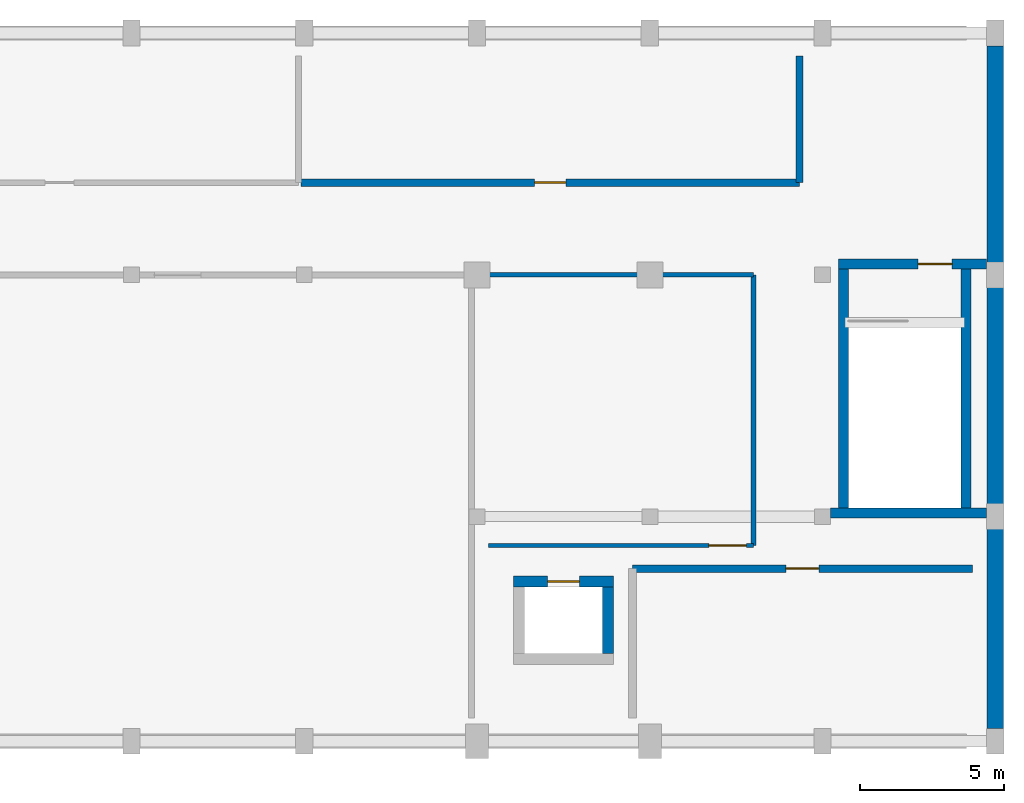
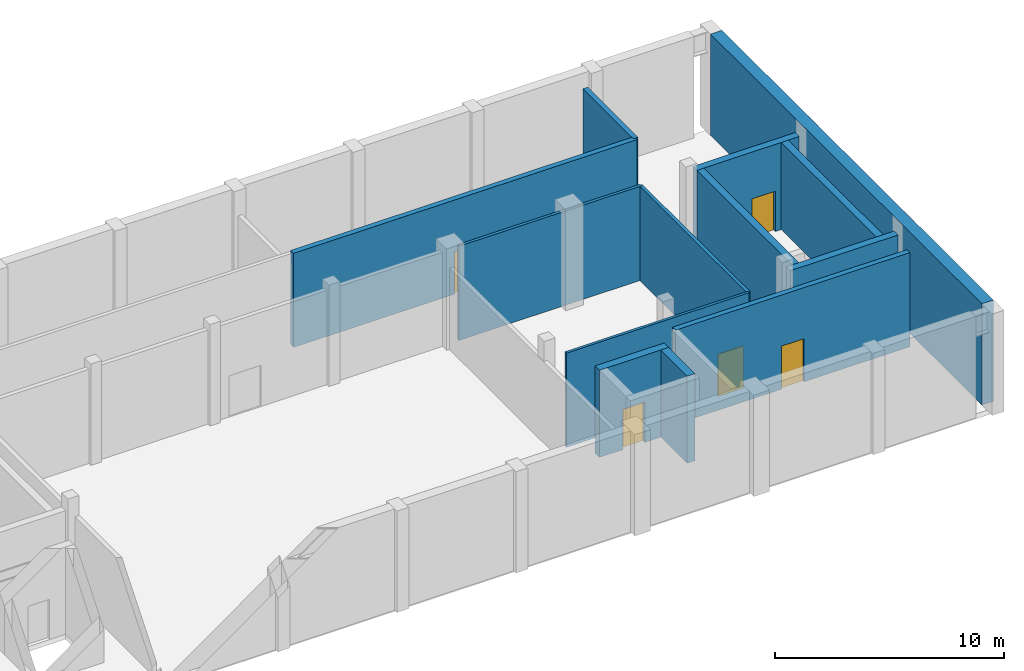
# One storey, part 2 of 3: 13 walls, 5 doors, 5 openings.
"""IFC4 building model written with IfcOpenShell, lengths in metres."""

import ifcopenshell
import ifcopenshell.guid

model = None  # the IFC model being written
_history = None  # IfcOwnerHistory: only IFC2X3 demands one
_inside = {}  # id of a spatial element -> (the spatial element, [elements in it])
_under = {}  # id of a project, library or spatial element -> (it, [spatial elements below it])
_declared = {}  # id of a project -> (the project, [libraries it declares])
_typed = {}  # id of a type object -> (the type object, [elements of that type])
_made_of = {}  # id of a material, layer set ... -> (it, [elements and type objects made of it])


def new_model(schema):
    """Start an empty IFC model of exactly this schema.

    Asked for "IFC4X3", IfcOpenShell would pick the latest addendum, in which some entities
    have other attributes; the version numbers below select the first issue.
    IFC2X3 requires an IfcOwnerHistory on every rooted entity: one is made here for all.
    """
    global model, _history
    if schema == "IFC4X3":
        model = ifcopenshell.file(schema_version=(4, 3, 0, 0))
    else:
        model = ifcopenshell.file(schema=schema)
    _inside.clear()
    _under.clear()
    _declared.clear()
    _typed.clear()
    _made_of.clear()
    _history = None
    if model.schema == "IFC2X3":
        org = make("IfcOrganization", Name="unknown")
        user = make(
            "IfcPersonAndOrganization",
            ThePerson=make("IfcPerson", FamilyName="unknown"),
            TheOrganization=org,
        )
        app = make(
            "IfcApplication",
            ApplicationDeveloper=org,
            Version="unknown",
            ApplicationFullName="unknown",
            ApplicationIdentifier="unknown",
        )
        _history = make(
            "IfcOwnerHistory",
            OwningUser=user,
            OwningApplication=app,
            ChangeAction="ADDED",
            CreationDate=0,
        )
    return model


def make(cls, **values):
    """One entity of the class cls with the attributes given. An attribute that is None is left unset."""
    return model.create_entity(
        cls, **{name: value for name, value in values.items() if value is not None}
    )


def rooted(cls, **values):
    """An entity with a GlobalId (a new one), such as an element, a storey or a relation."""
    return make(cls, GlobalId=ifcopenshell.guid.new(), OwnerHistory=_history, **values)


def si_unit(unit_type, name, prefix=None):
    """IfcSIUnit, for example si_unit("LENGTHUNIT", "METRE", prefix="MILLI")."""
    return make("IfcSIUnit", UnitType=unit_type, Prefix=prefix, Name=name)


def assignment(units):
    """IfcUnitAssignment: the units of a project."""
    return None if units is None else make("IfcUnitAssignment", Units=units)


def point(xyz):
    """IfcCartesianPoint."""
    return None if xyz is None else make("IfcCartesianPoint", Coordinates=xyz)


def direction(xyz):
    """IfcDirection."""
    return None if xyz is None else make("IfcDirection", DirectionRatios=xyz)


def frame(location, z_axis=None, x_axis=None):
    """IfcAxis2Placement3D, a coordinate frame: its origin and axes. An axis left out is left unset."""
    return make(
        "IfcAxis2Placement3D",
        Location=point(location),
        Axis=direction(z_axis),
        RefDirection=direction(x_axis),
    )


def frame_2d(location, x_axis=None):
    """IfcAxis2Placement2D, a coordinate frame in the plane: its origin and x axis."""
    return make(
        "IfcAxis2Placement2D", Location=point(location), RefDirection=direction(x_axis)
    )


def origin():
    """The frame at (0, 0, 0) with its axes left unset."""
    return frame((0.0, 0.0, 0.0))


def place(relative_to, where):
    """IfcLocalPlacement: puts the frame where relative to a parent placement (None: the world)."""
    return make(
        "IfcLocalPlacement", PlacementRelTo=relative_to, RelativePlacement=where
    )


def context(
    kind, dimensions, precision=None, world=None, true_north=None, identifier=None
):
    """IfcGeometricRepresentationContext, for example the 3D "Model" context."""
    return make(
        "IfcGeometricRepresentationContext",
        ContextIdentifier=identifier,
        ContextType=kind,
        CoordinateSpaceDimension=dimensions,
        Precision=precision,
        WorldCoordinateSystem=world,
        TrueNorth=true_north,
    )


def subcontext(parent, identifier, kind, view, scale=None):
    """IfcGeometricRepresentationSubContext, for example "Body" below "Model"."""
    return make(
        "IfcGeometricRepresentationSubContext",
        ContextIdentifier=identifier,
        ContextType=kind,
        ParentContext=parent,
        TargetScale=scale,
        TargetView=view,
    )


def project(units=None, contexts=None):
    """IfcProject with its units and contexts."""
    return rooted(
        "IfcProject",
        Name="project",
        RepresentationContexts=contexts,
        UnitsInContext=assignment(units),
    )


def spatial(cls, under=None, at=None, **own):
    """A site, building, storey or space (cls), placed at a placement, below another one or the project."""
    s = rooted(cls, ObjectPlacement=at, **own)
    if under is not None:
        _under.setdefault(under.id(), (under, []))[1].append(s)
    return s


def profile(cls, at=None, kind="AREA", **sizes):
    """A parametric profile (cls). Its sizes go by their IFC names, for example OverallWidth=200.0."""
    return make(cls, ProfileType=kind, Position=at, **sizes)


def rectangle(**sizes):
    """IfcRectangleProfileDef."""
    return profile("IfcRectangleProfileDef", **sizes)


def extrude(swept, where, along, depth):
    """IfcExtrudedAreaSolid: the profile swept, set in the frame where, extruded along a direction by depth."""
    return make(
        "IfcExtrudedAreaSolid",
        SweptArea=swept,
        Position=where,
        ExtrudedDirection=direction(along),
        Depth=depth,
    )


def shape(context_of_items, identifier, shape_type, items):
    """IfcShapeRepresentation: the items that make up one representation, for example the "Body"."""
    return make(
        "IfcShapeRepresentation",
        ContextOfItems=context_of_items,
        RepresentationIdentifier=identifier,
        RepresentationType=shape_type,
        Items=items,
    )


def material(Name=None, Category=None):
    """IfcMaterial."""
    return make("IfcMaterial", Name=Name, Category=Category)


def layer(
    of_material, thickness, ventilated=None, Name=None, Category=None, Priority=None
):
    """IfcMaterialLayer: one layer of a wall or slab, of a material (None: an air gap)."""
    return make(
        "IfcMaterialLayer",
        Material=of_material,
        LayerThickness=thickness,
        IsVentilated=ventilated,
        Name=Name,
        Category=Category,
        Priority=Priority,
    )


def layer_set(layers, Name=None):
    """IfcMaterialLayerSet."""
    return make("IfcMaterialLayerSet", MaterialLayers=layers, LayerSetName=Name)


def made_of(thing, what):
    """Note that an element or type object is made of a material, layer set ...; save() writes the relation."""
    if what is not None:
        _made_of.setdefault(what.id(), (what, []))[1].append(thing)
    return thing


def type_object(cls, material=None, **own):
    """A type object (cls), such as IfcWallType, which elements share."""
    return made_of(rooted(cls, **own), material)


def element(
    cls,
    number,
    at=None,
    inside=None,
    cuts=None,
    type_object=None,
    material=None,
    context=None,
    identifier="Body",
    shape_type=None,
    held_by="IfcProductDefinitionShape",
    body=None,
    shapes=None,
    **own,
):
    """One element of the class cls, such as IfcWall. Its Tag is "e" and its number.

    at: its placement. inside: the storey or other place that contains it. cuts: it is an
    opening in that element (IfcRelVoidsElement). A single representation is given by context,
    identifier, shape_type and body (its items); several are given by shapes. held_by: the class
    of the entity that holds the representations. save() writes the other relations.
    """
    e = rooted(cls, Tag="e%d" % number, ObjectPlacement=at, **own)
    if body is not None:
        shapes = [shape(context, identifier, shape_type, body)]
    if shapes is not None:
        e.Representation = make(held_by, Representations=shapes)
    if inside is not None:
        _inside.setdefault(inside.id(), (inside, []))[1].append(e)
    if cuts is not None:
        rooted(
            "IfcRelVoidsElement", RelatingBuildingElement=cuts, RelatedOpeningElement=e
        )
    if type_object is not None:
        _typed.setdefault(type_object.id(), (type_object, []))[1].append(e)
    return made_of(e, material)


def fill(opening, filler):
    """IfcRelFillsElement: the door or window that sits in an opening."""
    return rooted(
        "IfcRelFillsElement",
        RelatingOpeningElement=opening,
        RelatedBuildingElement=filler,
    )


def aggregate(whole, parts):
    """IfcRelAggregates: a whole, such as a stair, and the parts it consists of."""
    return rooted("IfcRelAggregates", RelatingObject=whole, RelatedObjects=parts)


def save(model, path):
    """Write the relations noted so far, then the file.

    IfcRelAggregates (storeys below a building ...), IfcRelContainedInSpatialStructure (elements
    in a storey), IfcRelDefinesByType, IfcRelAssociatesMaterial and IfcRelDeclares: one each for
    every whole, place, type object, material and project.
    """
    for whole, parts in _under.values():
        aggregate(whole, parts)
    for where, things in _inside.values():
        rooted(
            "IfcRelContainedInSpatialStructure",
            RelatedElements=things,
            RelatingStructure=where,
        )
    for kind, things in _typed.values():
        rooted("IfcRelDefinesByType", RelatedObjects=things, RelatingType=kind)
    for what, things in _made_of.values():
        rooted("IfcRelAssociatesMaterial", RelatedObjects=things, RelatingMaterial=what)
    for by, libraries in _declared.values():
        rooted("IfcRelDeclares", RelatingContext=by, RelatedDefinitions=libraries)
    model.write(path)


model = new_model("IFC4")

# Units and contexts
model_context = context("Model", 3, precision=1e-05, world=origin(), true_north=direction((0.0, 1.0)))
body_context = subcontext(model_context, "Body", "Model", "MODEL_VIEW")
ifc_project = project(units=[si_unit("LENGTHUNIT", "METRE"), si_unit("AREAUNIT", "SQUARE_METRE"), si_unit("VOLUMEUNIT", "CUBIC_METRE"), si_unit("PLANEANGLEUNIT", "RADIAN"), si_unit("MASSUNIT", "GRAM", prefix="KILO")], contexts=[model_context])

# Site, building, storey
site_placement = place(None, origin())
site = spatial("IfcSite", under=ifc_project, at=site_placement, CompositionType="ELEMENT")
building_placement = place(site_placement, origin())
building = spatial("IfcBuilding", under=site, at=building_placement, Name="Vaelkrest Opera House", CompositionType="ELEMENT")
storey_placement = place(building_placement, frame((0.0, 0.0, 36.0)))
storey = spatial("IfcBuildingStorey", under=building, at=storey_placement, Name="L07", CompositionType="ELEMENT", Elevation=36.0)

# Wall, opening, door
ifc_material_1 = material(Name="Gypsum acoustic board", Category="gypsum")
ifc_layer_1 = layer(ifc_material_1, 0.135009765625)
ifc_layer_set_1 = layer_set([ifc_layer_1], Name="Gypsum acoustic board")
wall_type_1 = type_object("IfcWallType", Name="PT02", PredefinedType="PARTITIONING", material=ifc_layer_set_1)
wall_1_placement = place(storey_placement, frame((12.39990234375, 24.199951171875, 0.0), z_axis=(0.0, 0.0, 1.0), x_axis=(1.0, 0.0, 0.0)))
wall_1 = element("IfcWall", 1, at=wall_1_placement, inside=storey, type_object=wall_type_1, Name="Interior partition PT-V2-L07-0254", PredefinedType="PARTITIONING", context=body_context, shape_type="SweptSolid", body=[
    extrude(rectangle(XDim=9.2001953125, YDim=0.135009765625, at=frame_2d((4.60009765625, 0.0))), origin(), (0.0, 0.0, 1.0), 5.02001953125),
])
opening_1_placement = place(wall_1_placement, frame((7.64990234375, 0.0, 0.0)))
opening_1 = element("IfcOpeningElement", 2, at=opening_1_placement, cuts=wall_1, Name="Opening D098", PredefinedType="OPENING", context=body_context, shape_type="SweptSolid", body=[
    extrude(rectangle(XDim=1.300048828125, YDim=2.25, at=frame_2d((0.64990234375, 1.125))), frame((0.0, 0.077392578125, 0.0), z_axis=(0.0, -1.0, 0.0), x_axis=(1.0, 0.0, 0.0)), (0.0, 0.0, 1.0), 0.155029296875),
])
ifc_material_2 = material(Name="American black walnut acoustic timber", Category="wood")
door_type_1 = type_object("IfcDoorType", Name="DT09", OperationType="NOTDEFINED", PredefinedType="DOOR", material=ifc_material_2)
door_1_placement = place(opening_1_placement, origin())
door_1 = element("IfcDoor", 3, at=door_1_placement, inside=storey, type_object=door_type_1, Name="Interior door D098 (Winch Room)", OperationType="SINGLE_SWING_LEFT", OverallHeight=2.25, OverallWidth=1.300048828125, PredefinedType="DOOR", context=body_context, shape_type="SweptSolid", body=[
    extrude(rectangle(XDim=1.300048828125, YDim=2.25, at=frame_2d((0.64990234375, 1.125))), frame((0.0, 0.02490234375, 0.0), z_axis=(0.0, -1.0, 0.0), x_axis=(1.0, 0.0, 0.0)), (0.0, 0.0, 1.0), 0.050048828125),
])
fill(opening_1, door_1)

# Walls
ifc_layer_2 = layer(ifc_material_1, 0.14990234375)
ifc_layer_set_2 = layer_set([ifc_layer_2], Name="Gypsum acoustic board")
wall_type_2 = type_object("IfcWallType", Name="PT03", PredefinedType="PARTITIONING", material=ifc_layer_set_2)
wall_2_placement = place(storey_placement, frame((12.39990234375, 33.60009765625, 0.0), z_axis=(0.0, 0.0, 1.0), x_axis=(1.0, 0.0, 0.0)))
element("IfcWall", 4, at=wall_2_placement, inside=storey, type_object=wall_type_2, Name="Interior partition PT-V2-L07-0255", PredefinedType="PARTITIONING", context=body_context, shape_type="SweptSolid", body=[
    extrude(rectangle(XDim=9.2001953125, YDim=0.14990234375, at=frame_2d((4.60009765625, 0.0))), origin(), (0.0, 0.0, 1.0), 5.02001953125),
])
ifc_layer_3 = layer(ifc_material_1, 0.1650390625)
ifc_layer_set_3 = layer_set([ifc_layer_3], Name="Gypsum acoustic board")
wall_type_3 = type_object("IfcWallType", Name="PT04", PredefinedType="PARTITIONING", material=ifc_layer_set_3)
wall_3_placement = place(storey_placement, frame((21.60009765625, 24.199951171875, 0.0), z_axis=(0.0, 0.0, 1.0), x_axis=(0.0, 1.0, 0.0)))
element("IfcWall", 5, at=wall_3_placement, inside=storey, type_object=wall_type_3, Name="Interior partition PT-V2-L07-0256", PredefinedType="PARTITIONING", context=body_context, shape_type="SweptSolid", body=[
    extrude(rectangle(XDim=9.400146484375, YDim=0.1650390625, at=frame_2d((4.7001953125, 0.0))), origin(), (0.0, 0.0, 1.0), 5.02001953125),
])
ifc_material_3 = material(Name="Concrete C40/50", Category="concrete")
ifc_layer_4 = layer(ifc_material_3, 0.239990234375)
ifc_layer_set_4 = layer_set([ifc_layer_4], Name="Concrete C40/50")
wall_type_4 = type_object("IfcWallType", Name="PT09", PredefinedType="PARTITIONING", material=ifc_layer_set_4)
wall_4_placement = place(storey_placement, frame((23.199951171875, 36.800048828125, 0.0), z_axis=(0.0, 0.0, 1.0), x_axis=(0.0, 1.0, 0.0)))
element("IfcWall", 6, at=wall_4_placement, inside=storey, type_object=wall_type_4, Name="Interior partition PT-V2-L07-0261", PredefinedType="PARTITIONING", context=body_context, shape_type="SweptSolid", body=[
    extrude(rectangle(XDim=4.39990234375, YDim=0.239990234375, at=frame_2d((2.199951171875, 0.0))), origin(), (0.0, 0.0, 1.0), 5.02001953125),
])

# Wall, opening, door
ifc_layer_5 = layer(ifc_material_3, 0.260009765625)
ifc_layer_set_5 = layer_set([ifc_layer_5], Name="Concrete C40/50")
wall_type_5 = type_object("IfcWallType", Name="PT10", PredefinedType="PARTITIONING", material=ifc_layer_set_5)
wall_5_placement = place(storey_placement, frame((5.8798828125, 36.800048828125, 0.0), z_axis=(0.0, 0.0, 1.0), x_axis=(1.0, 0.0, 0.0)))
wall_5 = element("IfcWall", 7, at=wall_5_placement, inside=storey, type_object=wall_type_5, Name="Interior partition PT-V2-L07-0260", PredefinedType="PARTITIONING", context=body_context, shape_type="SweptSolid", body=[
    extrude(rectangle(XDim=17.320068359375, YDim=0.260009765625, at=frame_2d((8.66015625, 0.0))), origin(), (0.0, 0.0, 1.0), 5.02001953125),
])
opening_2_placement = place(wall_5_placement, frame((8.1201171875, 0.0, 0.0)))
opening_2 = element("IfcOpeningElement", 8, at=opening_2_placement, cuts=wall_5, Name="Opening D100", PredefinedType="OPENING", context=body_context, shape_type="SweptSolid", body=[
    extrude(rectangle(XDim=1.080078125, YDim=2.25, at=frame_2d((0.5400390625, 1.125))), frame((0.0, 0.139892578125, 0.0), z_axis=(0.0, -1.0, 0.0), x_axis=(1.0, 0.0, 0.0)), (0.0, 0.0, 1.0), 0.280029296875),
])
door_type_2 = type_object("IfcDoorType", Name="DT11", OperationType="NOTDEFINED", PredefinedType="DOOR", material=ifc_material_2)
door_2_placement = place(opening_2_placement, origin())
door_2 = element("IfcDoor", 9, at=door_2_placement, inside=storey, type_object=door_type_2, Name="Interior door D100 (Smoke Exhaust Fan Room)", OperationType="SINGLE_SWING_LEFT", OverallHeight=2.25, OverallWidth=1.080078125, PredefinedType="DOOR", context=body_context, shape_type="SweptSolid", body=[
    extrude(rectangle(XDim=1.080078125, YDim=2.25, at=frame_2d((0.5400390625, 1.125))), frame((0.0, 0.02490234375, 0.0), z_axis=(0.0, -1.0, 0.0), x_axis=(1.0, 0.0, 0.0)), (0.0, 0.0, 1.0), 0.050048828125),
])
fill(opening_2, door_2)

wall_6_placement = place(storey_placement, frame((17.39990234375, 23.39990234375, 0.0), z_axis=(0.0, 0.0, 1.0), x_axis=(1.0, 0.0, 0.0)))
wall_6 = element("IfcWall", 10, at=wall_6_placement, inside=storey, type_object=wall_type_5, Name="Interior partition PT-V2-L07-0262", PredefinedType="PARTITIONING", context=body_context, shape_type="SweptSolid", body=[
    extrude(rectangle(XDim=11.800048828125, YDim=0.260009765625, at=frame_2d((5.89990234375, 0.0))), origin(), (0.0, 0.0, 1.0), 5.02001953125),
])
opening_3_placement = place(wall_6_placement, frame((5.324951171875, 0.0, 0.0)))
opening_3 = element("IfcOpeningElement", 11, at=opening_3_placement, cuts=wall_6, Name="Opening D101", PredefinedType="OPENING", context=body_context, shape_type="SweptSolid", body=[
    extrude(rectangle(XDim=1.14990234375, YDim=2.300048828125, at=frame_2d((0.574951171875, 1.14990234375))), frame((0.0, 0.139892578125, 0.0), z_axis=(0.0, -1.0, 0.0), x_axis=(1.0, 0.0, 0.0)), (0.0, 0.0, 1.0), 0.280029296875),
])
door_type_3 = type_object("IfcDoorType", Name="DT12", OperationType="NOTDEFINED", PredefinedType="DOOR", material=ifc_material_2)
door_3_placement = place(opening_3_placement, origin())
door_3 = element("IfcDoor", 12, at=door_3_placement, inside=storey, type_object=door_type_3, Name="Interior door D101 (Rigging Control Room)", OperationType="SINGLE_SWING_RIGHT", OverallHeight=2.300048828125, OverallWidth=1.14990234375, PredefinedType="DOOR", context=body_context, shape_type="SweptSolid", body=[
    extrude(rectangle(XDim=1.14990234375, YDim=2.300048828125, at=frame_2d((0.574951171875, 1.14990234375))), frame((0.0, 0.02490234375, 0.0), z_axis=(0.0, -1.0, 0.0), x_axis=(1.0, 0.0, 0.0)), (0.0, 0.0, 1.0), 0.050048828125),
])
fill(opening_3, door_3)

# Walls
ifc_material_4 = material(Name="Concrete C50/60", Category="concrete")
ifc_layer_6 = layer(ifc_material_4, 0.35009765625)
ifc_layer_set_6 = layer_set([ifc_layer_6], Name="Concrete C50/60")
wall_type_6 = type_object("IfcWallType", Name="SW01", PredefinedType="SHEAR", material=ifc_layer_set_6)
wall_7_placement = place(storey_placement, frame((29.699951171875, 25.324951171875, 0.0), z_axis=(0.0, 0.0, 1.0), x_axis=(-1.0, 0.0, 0.0)))
element("IfcWall", 13, at=wall_7_placement, inside=storey, type_object=wall_type_6, Name="Stair core ST06 wall L07 S", PredefinedType="SHEAR", context=body_context, shape_type="SweptSolid", body=[
    extrude(rectangle(XDim=5.425048828125, YDim=0.35009765625, at=frame_2d((2.71240234375, 0.0))), origin(), (0.0, 0.0, 1.0), 4.64501953125),
])
wall_8_placement = place(storey_placement, frame((24.72509765625, 25.5, 0.0), z_axis=(0.0, 0.0, 1.0), x_axis=(0.0, 1.0, 0.0)))
element("IfcWall", 14, at=wall_8_placement, inside=storey, type_object=wall_type_6, Name="Stair core ST06 wall L07 W", PredefinedType="SHEAR", context=body_context, shape_type="SweptSolid", body=[
    extrude(rectangle(XDim=8.300048828125, YDim=0.35009765625, at=frame_2d((4.14990234375, 0.0))), origin(), (0.0, 0.0, 1.0), 4.64501953125),
])

# Wall, opening, door
wall_9_placement = place(storey_placement, frame((24.550048828125, 33.97509765625, 0.0), z_axis=(0.0, 0.0, 1.0), x_axis=(1.0, 0.0, 0.0)))
wall_9 = element("IfcWall", 15, at=wall_9_placement, inside=storey, type_object=wall_type_6, Name="Stair core ST06 wall L07 N", PredefinedType="SHEAR", context=body_context, shape_type="SweptSolid", body=[
    extrude(rectangle(XDim=5.14990234375, YDim=0.35009765625, at=frame_2d((2.574951171875, 0.0))), origin(), (0.0, 0.0, 1.0), 4.64501953125),
])
opening_4_placement = place(wall_9_placement, frame((2.77001953125, 0.0, 0.0)))
opening_4 = element("IfcOpeningElement", 16, at=opening_4_placement, cuts=wall_9, Name="Opening SD-ST06-L07", PredefinedType="OPENING", context=body_context, shape_type="SweptSolid", body=[
    extrude(rectangle(XDim=1.179931640625, YDim=2.14990234375, at=frame_2d((0.58984375, 1.074951171875))), frame((0.0, 0.18505859375, 0.0), z_axis=(0.0, -1.0, 0.0), x_axis=(1.0, 0.0, 0.0)), (0.0, 0.0, 1.0), 0.3701171875),
])
door_type_4 = type_object("IfcDoorType", Name="DT07", OperationType="NOTDEFINED", PredefinedType="DOOR", material=ifc_material_2)
door_4_placement = place(opening_4_placement, origin())
door_4 = element("IfcDoor", 17, at=door_4_placement, inside=storey, type_object=door_type_4, Name="Protected stair door SD-ST06-L07", OperationType="SINGLE_SWING_LEFT", OverallHeight=2.14990234375, OverallWidth=1.179931640625, PredefinedType="DOOR", context=body_context, shape_type="SweptSolid", body=[
    extrude(rectangle(XDim=1.179931640625, YDim=2.14990234375, at=frame_2d((0.58984375, 1.074951171875))), frame((0.0, 0.02490234375, 0.0), z_axis=(0.0, -1.0, 0.0), x_axis=(1.0, 0.0, 0.0)), (0.0, 0.0, 1.0), 0.050048828125),
])
fill(opening_4, door_4)

# Wall
wall_10_placement = place(storey_placement, frame((28.97509765625, 33.800048828125, 0.0), z_axis=(0.0, 0.0, 1.0), x_axis=(0.0, -1.0, 0.0)))
element("IfcWall", 18, at=wall_10_placement, inside=storey, type_object=wall_type_6, Name="Stair core ST06 wall L07 E", PredefinedType="SHEAR", context=body_context, shape_type="SweptSolid", body=[
    extrude(rectangle(XDim=8.300048828125, YDim=0.35009765625, at=frame_2d((4.14990234375, 0.0))), origin(), (0.0, 0.0, 1.0), 4.64501953125),
])

# Wall, opening, door
ifc_layer_7 = layer(ifc_material_4, 0.389892578125)
ifc_layer_set_7 = layer_set([ifc_layer_7], Name="Concrete C50/60")
wall_type_7 = type_object("IfcWallType", Name="SW02", PredefinedType="SHEAR", material=ifc_layer_set_7)
wall_11_placement = place(storey_placement, frame((13.260009765625, 22.945068359375, 0.0), z_axis=(0.0, 0.0, 1.0), x_axis=(1.0, 0.0, 0.0)))
wall_11 = element("IfcWall", 19, at=wall_11_placement, inside=storey, type_object=wall_type_7, Name="Lift shaft LF02 wall L07 N", PredefinedType="SHEAR", context=body_context, shape_type="SweptSolid", body=[
    extrude(rectangle(XDim=3.47998046875, YDim=0.389892578125, at=frame_2d((1.739990234375, 0.0))), origin(), (0.0, 0.0, 1.0), 4.64501953125),
])
opening_5_placement = place(wall_11_placement, frame((1.18994140625, 0.0, 0.0)))
opening_5 = element("IfcOpeningElement", 20, at=opening_5_placement, cuts=wall_11, Name="Opening LD-LF02-L07", PredefinedType="OPENING", context=body_context, shape_type="SweptSolid", body=[
    extrude(rectangle(XDim=1.10009765625, YDim=2.14990234375, at=frame_2d((0.550048828125, 1.074951171875))), frame((0.0, 0.204833984375, 0.0), z_axis=(0.0, -1.0, 0.0), x_axis=(1.0, 0.0, 0.0)), (0.0, 0.0, 1.0), 0.409912109375),
])
ifc_material_5 = material(Name="Dark bronze anodized aluminium", Category="aluminium")
door_type_5 = type_object("IfcDoorType", Name="LDT01", OperationType="SLIDING_TO_LEFT", PredefinedType="DOOR", material=ifc_material_5)
door_5_placement = place(opening_5_placement, origin())
door_5 = element("IfcDoor", 21, at=door_5_placement, inside=storey, type_object=door_type_5, Name="Lift landing sliding door LD-LF02-L07", OperationType="SLIDING_TO_LEFT", OverallHeight=2.14990234375, OverallWidth=1.10009765625, PredefinedType="DOOR", context=body_context, shape_type="SweptSolid", body=[
    extrude(rectangle(XDim=1.10009765625, YDim=2.14990234375, at=frame_2d((0.550048828125, 1.074951171875))), frame((0.0, 0.02490234375, 0.0), z_axis=(0.0, -1.0, 0.0), x_axis=(1.0, 0.0, 0.0)), (0.0, 0.0, 1.0), 0.050048828125),
])
fill(opening_5, door_5)

# Walls
wall_12_placement = place(storey_placement, frame((16.544921875, 22.75, 0.0), z_axis=(0.0, 0.0, 1.0), x_axis=(0.0, -1.0, 0.0)))
element("IfcWall", 22, at=wall_12_placement, inside=storey, type_object=wall_type_7, Name="Lift shaft LF02 wall L07 E", PredefinedType="SHEAR", context=body_context, shape_type="SweptSolid", body=[
    extrude(rectangle(XDim=2.300048828125, YDim=0.389892578125, at=frame_2d((1.14990234375, 0.0))), origin(), (0.0, 0.0, 1.0), 4.64501953125),
])
ifc_layer_8 = layer(ifc_material_4, 0.580078125)
ifc_layer_set_8 = layer_set([ifc_layer_8], Name="Concrete C50/60")
wall_type_8 = type_object("IfcWallType", Name="SW06", PredefinedType="SHEAR", material=ifc_layer_set_8)
wall_13_placement = place(storey_placement, frame((30.0, 17.85009765625, 0.0), z_axis=(0.0, 0.0, 1.0), x_axis=(0.0, 1.0, 0.0)))
element("IfcWall", 23, at=wall_13_placement, inside=storey, type_object=wall_type_8, Name="Fly tower east exterior shear wall L07", PredefinedType="SHEAR", context=body_context, shape_type="SweptSolid", body=[
    extrude(rectangle(XDim=23.699951171875, YDim=0.580078125, at=frame_2d((11.85009765625, 0.0))), origin(), (0.0, 0.0, 1.0), 5.39990234375),
])

save(model, "model.ifc")
